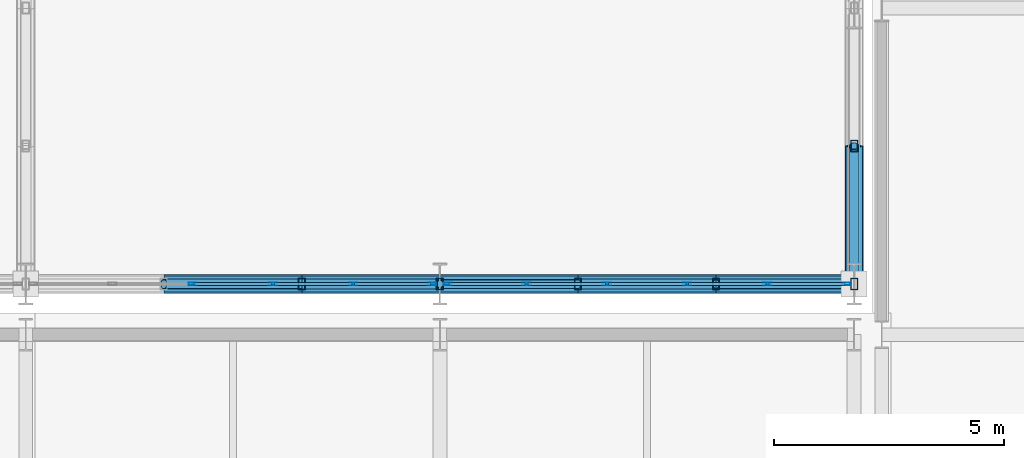
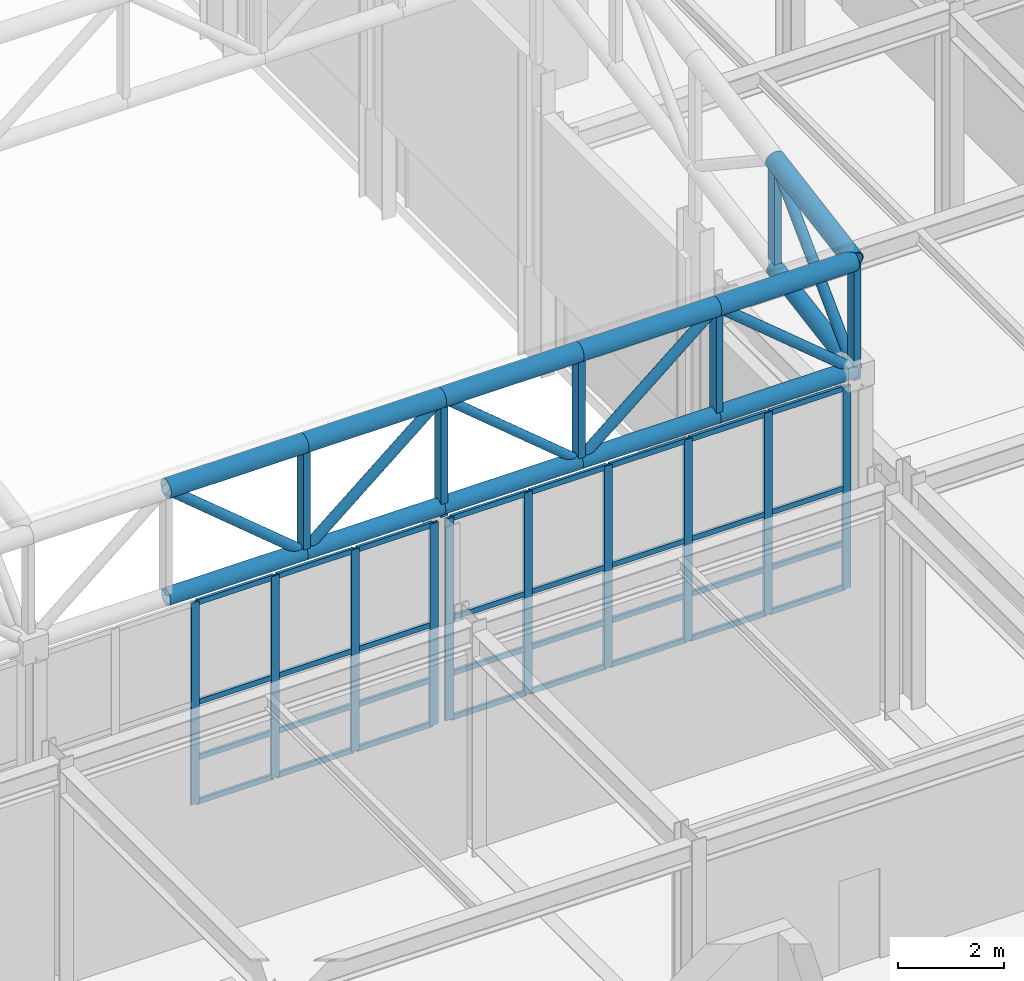
# One storey, part 71 of 239: 66 members, 2 elements without a shape of their own.
"""IFC4 building model written with IfcOpenShell, lengths in metres."""

from ifc_helpers import new_model, si_unit, direction, frame, origin, origin_2d, place, context, subcontext, project, spatial, hollow_rectangle, hollow_circle, extrude, material, material_profile, profile_set, type_object, element, aggregate, save


model = new_model("IFC4")

# Units and contexts
model_context = context("Model", 3, precision=1e-05, world=origin(), true_north=direction((0.0, 1.0)))
body_context = subcontext(model_context, "Body", "Model", "MODEL_VIEW")
ifc_project = project(units=[si_unit("LENGTHUNIT", "METRE"), si_unit("AREAUNIT", "SQUARE_METRE"), si_unit("VOLUMEUNIT", "CUBIC_METRE"), si_unit("PLANEANGLEUNIT", "RADIAN"), si_unit("MASSUNIT", "GRAM", prefix="KILO")], contexts=[model_context])

# Site, building, storey
site_placement = place(None, origin())
site = spatial("IfcSite", under=ifc_project, at=site_placement, CompositionType="ELEMENT")
building_placement = place(site_placement, origin())
building = spatial("IfcBuilding", under=site, at=building_placement, Name="Kaldris Quays Convention Centre", CompositionType="ELEMENT")
storey_placement = place(building_placement, frame((0.0, 0.0, 11.39990234375)))
storey = spatial("IfcBuildingStorey", under=building, at=storey_placement, Name="L02", CompositionType="ELEMENT", Elevation=11.39990234375)

# Curtain wall, members
ifc_material_1 = material(Name="Anodized aluminium AW-6060 and triple glazing", Category="aluminium")
curtain_wall_type = type_object("IfcCurtainWallType", Name="UNITISED CURTAIN WALL CW03", PredefinedType="NOTDEFINED", material=ifc_material_1)
curtain_wall_1_placement = place(storey_placement, origin())
curtain_wall_1 = element("IfcCurtainWall", 1, at=curtain_wall_1_placement, inside=storey, type_object=curtain_wall_type, Name="L02 Unitised Curtain Wall CW03 251", PredefinedType="NOTDEFINED")
ifc_material_2 = material(Name="Anodized aluminium AW-6060", Category="aluminium")
ifc_material_profile_1 = material_profile(ifc_material_2, hollow_rectangle(XDim=0.06005859375, YDim=0.179931640625, WallThickness=0.0048828125, at=origin_2d()), Name="RHS 180x60x5")
ifc_profile_set_1 = profile_set([ifc_material_profile_1], Name="Anodized aluminium AW-6060")
member_type_1 = type_object("IfcMemberType", Name="CURTAIN MULLION CWM2", PredefinedType="MULLION", material=ifc_profile_set_1)
member_1_placement = place(storey_placement, frame((131.6279296875, 56.0, 2.195068359375), z_axis=(0.0, 0.0, 1.0), x_axis=(0.0, 1.0, 0.0)))
member_1 = element("IfcMember", 2, at=member_1_placement, type_object=member_type_1, Name="CW03 mullion 3", PredefinedType="MULLION", context=body_context, shape_type="SweptSolid", body=[
    extrude(hollow_rectangle(XDim=0.06005859375, YDim=0.179931640625, WallThickness=0.0048828125, at=origin_2d()), origin(), (0.0, 0.0, 1.0), 4.655029296875),
])
member_2_placement = place(storey_placement, frame((133.3720703125, 56.0, 2.195068359375), z_axis=(0.0, 0.0, 1.0), x_axis=(0.0, 1.0, 0.0)))
member_2 = element("IfcMember", 3, at=member_2_placement, type_object=member_type_1, Name="CW03 mullion 4", PredefinedType="MULLION", context=body_context, shape_type="SweptSolid", body=[
    extrude(hollow_rectangle(XDim=0.06005859375, YDim=0.179931640625, WallThickness=0.0048828125, at=origin_2d()), origin(), (0.0, 0.0, 1.0), 4.655029296875),
])
member_3_placement = place(storey_placement, frame((135.115966796875, 56.0, 2.195068359375), z_axis=(0.0, 0.0, 1.0), x_axis=(0.0, 1.0, 0.0)))
member_3 = element("IfcMember", 4, at=member_3_placement, type_object=member_type_1, Name="CW03 mullion 5", PredefinedType="MULLION", context=body_context, shape_type="SweptSolid", body=[
    extrude(hollow_rectangle(XDim=0.06005859375, YDim=0.179931640625, WallThickness=0.0048828125, at=origin_2d()), origin(), (0.0, 0.0, 1.0), 4.655029296875),
])
member_4_placement = place(storey_placement, frame((136.830078125, 56.0, 2.195068359375), z_axis=(0.0, 0.0, 1.0), x_axis=(0.0, 1.0, 0.0)))
member_4 = element("IfcMember", 5, at=member_4_placement, type_object=member_type_1, Name="CW03 mullion 6", PredefinedType="MULLION", context=body_context, shape_type="SweptSolid", body=[
    extrude(hollow_rectangle(XDim=0.06005859375, YDim=0.179931640625, WallThickness=0.0048828125, at=origin_2d()), origin(), (0.0, 0.0, 1.0), 4.655029296875),
])

curtain_wall_2_placement = place(storey_placement, origin())
curtain_wall_2 = element("IfcCurtainWall", 6, at=curtain_wall_2_placement, inside=storey, type_object=curtain_wall_type, Name="L02 Unitised Curtain Wall CW03 253", PredefinedType="NOTDEFINED")
member_5_placement = place(storey_placement, frame((137.169921875, 56.0, 2.195068359375), z_axis=(0.0, 0.0, 1.0), x_axis=(0.0, 1.0, 0.0)))
member_5 = element("IfcMember", 7, at=member_5_placement, type_object=member_type_1, Name="CW03 mullion 1", PredefinedType="MULLION", context=body_context, shape_type="SweptSolid", body=[
    extrude(hollow_rectangle(XDim=0.06005859375, YDim=0.179931640625, WallThickness=0.0048828125, at=origin_2d()), origin(), (0.0, 0.0, 1.0), 4.655029296875),
])
member_6_placement = place(storey_placement, frame((138.884033203125, 56.0, 2.195068359375), z_axis=(0.0, 0.0, 1.0), x_axis=(0.0, 1.0, 0.0)))
member_6 = element("IfcMember", 8, at=member_6_placement, type_object=member_type_1, Name="CW03 mullion 2", PredefinedType="MULLION", context=body_context, shape_type="SweptSolid", body=[
    extrude(hollow_rectangle(XDim=0.06005859375, YDim=0.179931640625, WallThickness=0.0048828125, at=origin_2d()), origin(), (0.0, 0.0, 1.0), 4.655029296875),
])
member_7_placement = place(storey_placement, frame((140.6279296875, 56.0, 2.195068359375), z_axis=(0.0, 0.0, 1.0), x_axis=(0.0, 1.0, 0.0)))
member_7 = element("IfcMember", 9, at=member_7_placement, type_object=member_type_1, Name="CW03 mullion 3", PredefinedType="MULLION", context=body_context, shape_type="SweptSolid", body=[
    extrude(hollow_rectangle(XDim=0.06005859375, YDim=0.179931640625, WallThickness=0.0048828125, at=origin_2d()), origin(), (0.0, 0.0, 1.0), 4.655029296875),
])
member_8_placement = place(storey_placement, frame((142.3720703125, 56.0, 2.195068359375), z_axis=(0.0, 0.0, 1.0), x_axis=(0.0, 1.0, 0.0)))
member_8 = element("IfcMember", 10, at=member_8_placement, type_object=member_type_1, Name="CW03 mullion 4", PredefinedType="MULLION", context=body_context, shape_type="SweptSolid", body=[
    extrude(hollow_rectangle(XDim=0.06005859375, YDim=0.179931640625, WallThickness=0.0048828125, at=origin_2d()), origin(), (0.0, 0.0, 1.0), 4.655029296875),
])
member_9_placement = place(storey_placement, frame((144.115966796875, 56.0, 2.195068359375), z_axis=(0.0, 0.0, 1.0), x_axis=(0.0, 1.0, 0.0)))
member_9 = element("IfcMember", 11, at=member_9_placement, type_object=member_type_1, Name="CW03 mullion 5", PredefinedType="MULLION", context=body_context, shape_type="SweptSolid", body=[
    extrude(hollow_rectangle(XDim=0.06005859375, YDim=0.179931640625, WallThickness=0.0048828125, at=origin_2d()), origin(), (0.0, 0.0, 1.0), 4.655029296875),
])
member_10_placement = place(storey_placement, frame((145.830078125, 56.0, 2.195068359375), z_axis=(0.0, 0.0, 1.0), x_axis=(0.0, 1.0, 0.0)))
member_10 = element("IfcMember", 12, at=member_10_placement, type_object=member_type_1, Name="CW03 mullion 6", PredefinedType="MULLION", context=body_context, shape_type="SweptSolid", body=[
    extrude(hollow_rectangle(XDim=0.06005859375, YDim=0.179931640625, WallThickness=0.0048828125, at=origin_2d()), origin(), (0.0, 0.0, 1.0), 4.655029296875),
])

# Member
ifc_material_profile_2 = material_profile(ifc_material_2, hollow_rectangle(XDim=0.06005859375, YDim=0.1201171875, WallThickness=0.00390625, at=origin_2d()), Name="RHS 120x60x4")
ifc_profile_set_2 = profile_set([ifc_material_profile_2], Name="Anodized aluminium AW-6060")
member_type_2 = type_object("IfcMemberType", Name="CURTAIN TRANSOM CWT1", PredefinedType="USERDEFINED", material=ifc_profile_set_2)
member_11_placement = place(storey_placement, frame((131.657958984375, 56.0, 2.22509765625), z_axis=(1.0, 0.0, 0.0), x_axis=(0.0, 1.0, 0.0)))
member_11 = element("IfcMember", 13, at=member_11_placement, type_object=member_type_2, Name="CW03 transom 3.1", ObjectType="TRANSOM", PredefinedType="USERDEFINED", context=body_context, shape_type="SweptSolid", body=[
    extrude(hollow_rectangle(XDim=0.06005859375, YDim=0.1201171875, WallThickness=0.00390625, at=origin_2d()), origin(), (0.0, 0.0, 1.0), 1.68408203125),
])

member_12_placement = place(storey_placement, frame((131.657958984375, 56.0, 3.2451171875), z_axis=(1.0, 0.0, 0.0), x_axis=(0.0, 1.0, 0.0)))
member_12 = element("IfcMember", 14, at=member_12_placement, type_object=member_type_2, Name="CW03 transom 3.2", ObjectType="TRANSOM", PredefinedType="USERDEFINED", context=body_context, shape_type="SweptSolid", body=[
    extrude(hollow_rectangle(XDim=0.06005859375, YDim=0.1201171875, WallThickness=0.00390625, at=origin_2d()), origin(), (0.0, 0.0, 1.0), 1.68408203125),
])

member_13_placement = place(storey_placement, frame((131.657958984375, 56.0, 4.522216796875), z_axis=(1.0, 0.0, 0.0), x_axis=(0.0, 1.0, 0.0)))
member_13 = element("IfcMember", 15, at=member_13_placement, type_object=member_type_2, Name="CW03 transom 3.3", ObjectType="TRANSOM", PredefinedType="USERDEFINED", context=body_context, shape_type="SweptSolid", body=[
    extrude(hollow_rectangle(XDim=0.06005859375, YDim=0.1201171875, WallThickness=0.00390625, at=origin_2d()), origin(), (0.0, 0.0, 1.0), 1.68408203125),
])

member_14_placement = place(storey_placement, frame((131.657958984375, 56.0, 6.820068359375), z_axis=(1.0, 0.0, 0.0), x_axis=(0.0, 1.0, 0.0)))
member_14 = element("IfcMember", 16, at=member_14_placement, type_object=member_type_2, Name="CW03 transom 3.4", ObjectType="TRANSOM", PredefinedType="USERDEFINED", context=body_context, shape_type="SweptSolid", body=[
    extrude(hollow_rectangle(XDim=0.06005859375, YDim=0.1201171875, WallThickness=0.00390625, at=origin_2d()), origin(), (0.0, 0.0, 1.0), 1.68408203125),
])

member_15_placement = place(storey_placement, frame((133.402099609375, 56.0, 2.22509765625), z_axis=(1.0, 0.0, 0.0), x_axis=(0.0, 1.0, 0.0)))
member_15 = element("IfcMember", 17, at=member_15_placement, type_object=member_type_2, Name="CW03 transom 4.1", ObjectType="TRANSOM", PredefinedType="USERDEFINED", context=body_context, shape_type="SweptSolid", body=[
    extrude(hollow_rectangle(XDim=0.06005859375, YDim=0.1201171875, WallThickness=0.00390625, at=origin_2d()), origin(), (0.0, 0.0, 1.0), 1.683837890625),
])

member_16_placement = place(storey_placement, frame((133.402099609375, 56.0, 3.2451171875), z_axis=(1.0, 0.0, 0.0), x_axis=(0.0, 1.0, 0.0)))
member_16 = element("IfcMember", 18, at=member_16_placement, type_object=member_type_2, Name="CW03 transom 4.2", ObjectType="TRANSOM", PredefinedType="USERDEFINED", context=body_context, shape_type="SweptSolid", body=[
    extrude(hollow_rectangle(XDim=0.06005859375, YDim=0.1201171875, WallThickness=0.00390625, at=origin_2d()), origin(), (0.0, 0.0, 1.0), 1.683837890625),
])

member_17_placement = place(storey_placement, frame((133.402099609375, 56.0, 4.522216796875), z_axis=(1.0, 0.0, 0.0), x_axis=(0.0, 1.0, 0.0)))
member_17 = element("IfcMember", 19, at=member_17_placement, type_object=member_type_2, Name="CW03 transom 4.3", ObjectType="TRANSOM", PredefinedType="USERDEFINED", context=body_context, shape_type="SweptSolid", body=[
    extrude(hollow_rectangle(XDim=0.06005859375, YDim=0.1201171875, WallThickness=0.00390625, at=origin_2d()), origin(), (0.0, 0.0, 1.0), 1.683837890625),
])

member_18_placement = place(storey_placement, frame((133.402099609375, 56.0, 6.820068359375), z_axis=(1.0, 0.0, 0.0), x_axis=(0.0, 1.0, 0.0)))
member_18 = element("IfcMember", 20, at=member_18_placement, type_object=member_type_2, Name="CW03 transom 4.4", ObjectType="TRANSOM", PredefinedType="USERDEFINED", context=body_context, shape_type="SweptSolid", body=[
    extrude(hollow_rectangle(XDim=0.06005859375, YDim=0.1201171875, WallThickness=0.00390625, at=origin_2d()), origin(), (0.0, 0.0, 1.0), 1.683837890625),
])

member_19_placement = place(storey_placement, frame((135.14599609375, 56.0, 2.22509765625), z_axis=(1.0, 0.0, 0.0), x_axis=(0.0, 1.0, 0.0)))
member_19 = element("IfcMember", 21, at=member_19_placement, type_object=member_type_2, Name="CW03 transom 5.1", ObjectType="TRANSOM", PredefinedType="USERDEFINED", context=body_context, shape_type="SweptSolid", body=[
    extrude(hollow_rectangle(XDim=0.06005859375, YDim=0.1201171875, WallThickness=0.00390625, at=origin_2d()), origin(), (0.0, 0.0, 1.0), 1.654052734375),
])

member_20_placement = place(storey_placement, frame((135.14599609375, 56.0, 3.2451171875), z_axis=(1.0, 0.0, 0.0), x_axis=(0.0, 1.0, 0.0)))
member_20 = element("IfcMember", 22, at=member_20_placement, type_object=member_type_2, Name="CW03 transom 5.2", ObjectType="TRANSOM", PredefinedType="USERDEFINED", context=body_context, shape_type="SweptSolid", body=[
    extrude(hollow_rectangle(XDim=0.06005859375, YDim=0.1201171875, WallThickness=0.00390625, at=origin_2d()), origin(), (0.0, 0.0, 1.0), 1.654052734375),
])

member_21_placement = place(storey_placement, frame((135.14599609375, 56.0, 4.522216796875), z_axis=(1.0, 0.0, 0.0), x_axis=(0.0, 1.0, 0.0)))
member_21 = element("IfcMember", 23, at=member_21_placement, type_object=member_type_2, Name="CW03 transom 5.3", ObjectType="TRANSOM", PredefinedType="USERDEFINED", context=body_context, shape_type="SweptSolid", body=[
    extrude(hollow_rectangle(XDim=0.06005859375, YDim=0.1201171875, WallThickness=0.00390625, at=origin_2d()), origin(), (0.0, 0.0, 1.0), 1.654052734375),
])

member_22_placement = place(storey_placement, frame((135.14599609375, 56.0, 6.820068359375), z_axis=(1.0, 0.0, 0.0), x_axis=(0.0, 1.0, 0.0)))
member_22 = element("IfcMember", 24, at=member_22_placement, type_object=member_type_2, Name="CW03 transom 5.4", ObjectType="TRANSOM", PredefinedType="USERDEFINED", context=body_context, shape_type="SweptSolid", body=[
    extrude(hollow_rectangle(XDim=0.06005859375, YDim=0.1201171875, WallThickness=0.00390625, at=origin_2d()), origin(), (0.0, 0.0, 1.0), 1.654052734375),
])

aggregate(curtain_wall_1, [member_1, member_2, member_3, member_4, member_11, member_12, member_13, member_14, member_15, member_16, member_17, member_18, member_19, member_20, member_21, member_22])

member_23_placement = place(storey_placement, frame((137.199951171875, 56.0, 2.22509765625), z_axis=(1.0, 0.0, 0.0), x_axis=(0.0, 1.0, 0.0)))
member_23 = element("IfcMember", 25, at=member_23_placement, type_object=member_type_2, Name="CW03 transom 1.1", ObjectType="TRANSOM", PredefinedType="USERDEFINED", context=body_context, shape_type="SweptSolid", body=[
    extrude(hollow_rectangle(XDim=0.06005859375, YDim=0.1201171875, WallThickness=0.00390625, at=origin_2d()), origin(), (0.0, 0.0, 1.0), 1.654052734375),
])

member_24_placement = place(storey_placement, frame((137.199951171875, 56.0, 3.2451171875), z_axis=(1.0, 0.0, 0.0), x_axis=(0.0, 1.0, 0.0)))
member_24 = element("IfcMember", 26, at=member_24_placement, type_object=member_type_2, Name="CW03 transom 1.2", ObjectType="TRANSOM", PredefinedType="USERDEFINED", context=body_context, shape_type="SweptSolid", body=[
    extrude(hollow_rectangle(XDim=0.06005859375, YDim=0.1201171875, WallThickness=0.00390625, at=origin_2d()), origin(), (0.0, 0.0, 1.0), 1.654052734375),
])

member_25_placement = place(storey_placement, frame((137.199951171875, 56.0, 4.522216796875), z_axis=(1.0, 0.0, 0.0), x_axis=(0.0, 1.0, 0.0)))
member_25 = element("IfcMember", 27, at=member_25_placement, type_object=member_type_2, Name="CW03 transom 1.3", ObjectType="TRANSOM", PredefinedType="USERDEFINED", context=body_context, shape_type="SweptSolid", body=[
    extrude(hollow_rectangle(XDim=0.06005859375, YDim=0.1201171875, WallThickness=0.00390625, at=origin_2d()), origin(), (0.0, 0.0, 1.0), 1.654052734375),
])

member_26_placement = place(storey_placement, frame((137.199951171875, 56.0, 6.820068359375), z_axis=(1.0, 0.0, 0.0), x_axis=(0.0, 1.0, 0.0)))
member_26 = element("IfcMember", 28, at=member_26_placement, type_object=member_type_2, Name="CW03 transom 1.4", ObjectType="TRANSOM", PredefinedType="USERDEFINED", context=body_context, shape_type="SweptSolid", body=[
    extrude(hollow_rectangle(XDim=0.06005859375, YDim=0.1201171875, WallThickness=0.00390625, at=origin_2d()), origin(), (0.0, 0.0, 1.0), 1.654052734375),
])

member_27_placement = place(storey_placement, frame((138.9140625, 56.0, 2.22509765625), z_axis=(1.0, 0.0, 0.0), x_axis=(0.0, 1.0, 0.0)))
member_27 = element("IfcMember", 29, at=member_27_placement, type_object=member_type_2, Name="CW03 transom 2.1", ObjectType="TRANSOM", PredefinedType="USERDEFINED", context=body_context, shape_type="SweptSolid", body=[
    extrude(hollow_rectangle(XDim=0.06005859375, YDim=0.1201171875, WallThickness=0.00390625, at=origin_2d()), origin(), (0.0, 0.0, 1.0), 1.683837890625),
])

member_28_placement = place(storey_placement, frame((138.9140625, 56.0, 3.2451171875), z_axis=(1.0, 0.0, 0.0), x_axis=(0.0, 1.0, 0.0)))
member_28 = element("IfcMember", 30, at=member_28_placement, type_object=member_type_2, Name="CW03 transom 2.2", ObjectType="TRANSOM", PredefinedType="USERDEFINED", context=body_context, shape_type="SweptSolid", body=[
    extrude(hollow_rectangle(XDim=0.06005859375, YDim=0.1201171875, WallThickness=0.00390625, at=origin_2d()), origin(), (0.0, 0.0, 1.0), 1.683837890625),
])

member_29_placement = place(storey_placement, frame((138.9140625, 56.0, 4.522216796875), z_axis=(1.0, 0.0, 0.0), x_axis=(0.0, 1.0, 0.0)))
member_29 = element("IfcMember", 31, at=member_29_placement, type_object=member_type_2, Name="CW03 transom 2.3", ObjectType="TRANSOM", PredefinedType="USERDEFINED", context=body_context, shape_type="SweptSolid", body=[
    extrude(hollow_rectangle(XDim=0.06005859375, YDim=0.1201171875, WallThickness=0.00390625, at=origin_2d()), origin(), (0.0, 0.0, 1.0), 1.683837890625),
])

member_30_placement = place(storey_placement, frame((138.9140625, 56.0, 6.820068359375), z_axis=(1.0, 0.0, 0.0), x_axis=(0.0, 1.0, 0.0)))
member_30 = element("IfcMember", 32, at=member_30_placement, type_object=member_type_2, Name="CW03 transom 2.4", ObjectType="TRANSOM", PredefinedType="USERDEFINED", context=body_context, shape_type="SweptSolid", body=[
    extrude(hollow_rectangle(XDim=0.06005859375, YDim=0.1201171875, WallThickness=0.00390625, at=origin_2d()), origin(), (0.0, 0.0, 1.0), 1.683837890625),
])

member_31_placement = place(storey_placement, frame((140.657958984375, 56.0, 2.22509765625), z_axis=(1.0, 0.0, 0.0), x_axis=(0.0, 1.0, 0.0)))
member_31 = element("IfcMember", 33, at=member_31_placement, type_object=member_type_2, Name="CW03 transom 3.1", ObjectType="TRANSOM", PredefinedType="USERDEFINED", context=body_context, shape_type="SweptSolid", body=[
    extrude(hollow_rectangle(XDim=0.06005859375, YDim=0.1201171875, WallThickness=0.00390625, at=origin_2d()), origin(), (0.0, 0.0, 1.0), 1.68408203125),
])

member_32_placement = place(storey_placement, frame((140.657958984375, 56.0, 3.2451171875), z_axis=(1.0, 0.0, 0.0), x_axis=(0.0, 1.0, 0.0)))
member_32 = element("IfcMember", 34, at=member_32_placement, type_object=member_type_2, Name="CW03 transom 3.2", ObjectType="TRANSOM", PredefinedType="USERDEFINED", context=body_context, shape_type="SweptSolid", body=[
    extrude(hollow_rectangle(XDim=0.06005859375, YDim=0.1201171875, WallThickness=0.00390625, at=origin_2d()), origin(), (0.0, 0.0, 1.0), 1.68408203125),
])

member_33_placement = place(storey_placement, frame((140.657958984375, 56.0, 4.522216796875), z_axis=(1.0, 0.0, 0.0), x_axis=(0.0, 1.0, 0.0)))
member_33 = element("IfcMember", 35, at=member_33_placement, type_object=member_type_2, Name="CW03 transom 3.3", ObjectType="TRANSOM", PredefinedType="USERDEFINED", context=body_context, shape_type="SweptSolid", body=[
    extrude(hollow_rectangle(XDim=0.06005859375, YDim=0.1201171875, WallThickness=0.00390625, at=origin_2d()), origin(), (0.0, 0.0, 1.0), 1.68408203125),
])

member_34_placement = place(storey_placement, frame((140.657958984375, 56.0, 6.820068359375), z_axis=(1.0, 0.0, 0.0), x_axis=(0.0, 1.0, 0.0)))
member_34 = element("IfcMember", 36, at=member_34_placement, type_object=member_type_2, Name="CW03 transom 3.4", ObjectType="TRANSOM", PredefinedType="USERDEFINED", context=body_context, shape_type="SweptSolid", body=[
    extrude(hollow_rectangle(XDim=0.06005859375, YDim=0.1201171875, WallThickness=0.00390625, at=origin_2d()), origin(), (0.0, 0.0, 1.0), 1.68408203125),
])

member_35_placement = place(storey_placement, frame((142.402099609375, 56.0, 2.22509765625), z_axis=(1.0, 0.0, 0.0), x_axis=(0.0, 1.0, 0.0)))
member_35 = element("IfcMember", 37, at=member_35_placement, type_object=member_type_2, Name="CW03 transom 4.1", ObjectType="TRANSOM", PredefinedType="USERDEFINED", context=body_context, shape_type="SweptSolid", body=[
    extrude(hollow_rectangle(XDim=0.06005859375, YDim=0.1201171875, WallThickness=0.00390625, at=origin_2d()), origin(), (0.0, 0.0, 1.0), 1.683837890625),
])

member_36_placement = place(storey_placement, frame((142.402099609375, 56.0, 3.2451171875), z_axis=(1.0, 0.0, 0.0), x_axis=(0.0, 1.0, 0.0)))
member_36 = element("IfcMember", 38, at=member_36_placement, type_object=member_type_2, Name="CW03 transom 4.2", ObjectType="TRANSOM", PredefinedType="USERDEFINED", context=body_context, shape_type="SweptSolid", body=[
    extrude(hollow_rectangle(XDim=0.06005859375, YDim=0.1201171875, WallThickness=0.00390625, at=origin_2d()), origin(), (0.0, 0.0, 1.0), 1.683837890625),
])

member_37_placement = place(storey_placement, frame((142.402099609375, 56.0, 4.522216796875), z_axis=(1.0, 0.0, 0.0), x_axis=(0.0, 1.0, 0.0)))
member_37 = element("IfcMember", 39, at=member_37_placement, type_object=member_type_2, Name="CW03 transom 4.3", ObjectType="TRANSOM", PredefinedType="USERDEFINED", context=body_context, shape_type="SweptSolid", body=[
    extrude(hollow_rectangle(XDim=0.06005859375, YDim=0.1201171875, WallThickness=0.00390625, at=origin_2d()), origin(), (0.0, 0.0, 1.0), 1.683837890625),
])

member_38_placement = place(storey_placement, frame((142.402099609375, 56.0, 6.820068359375), z_axis=(1.0, 0.0, 0.0), x_axis=(0.0, 1.0, 0.0)))
member_38 = element("IfcMember", 40, at=member_38_placement, type_object=member_type_2, Name="CW03 transom 4.4", ObjectType="TRANSOM", PredefinedType="USERDEFINED", context=body_context, shape_type="SweptSolid", body=[
    extrude(hollow_rectangle(XDim=0.06005859375, YDim=0.1201171875, WallThickness=0.00390625, at=origin_2d()), origin(), (0.0, 0.0, 1.0), 1.683837890625),
])

member_39_placement = place(storey_placement, frame((144.14599609375, 56.0, 2.22509765625), z_axis=(1.0, 0.0, 0.0), x_axis=(0.0, 1.0, 0.0)))
member_39 = element("IfcMember", 41, at=member_39_placement, type_object=member_type_2, Name="CW03 transom 5.1", ObjectType="TRANSOM", PredefinedType="USERDEFINED", context=body_context, shape_type="SweptSolid", body=[
    extrude(hollow_rectangle(XDim=0.06005859375, YDim=0.1201171875, WallThickness=0.00390625, at=origin_2d()), origin(), (0.0, 0.0, 1.0), 1.654052734375),
])

member_40_placement = place(storey_placement, frame((144.14599609375, 56.0, 3.2451171875), z_axis=(1.0, 0.0, 0.0), x_axis=(0.0, 1.0, 0.0)))
member_40 = element("IfcMember", 42, at=member_40_placement, type_object=member_type_2, Name="CW03 transom 5.2", ObjectType="TRANSOM", PredefinedType="USERDEFINED", context=body_context, shape_type="SweptSolid", body=[
    extrude(hollow_rectangle(XDim=0.06005859375, YDim=0.1201171875, WallThickness=0.00390625, at=origin_2d()), origin(), (0.0, 0.0, 1.0), 1.654052734375),
])

member_41_placement = place(storey_placement, frame((144.14599609375, 56.0, 4.522216796875), z_axis=(1.0, 0.0, 0.0), x_axis=(0.0, 1.0, 0.0)))
member_41 = element("IfcMember", 43, at=member_41_placement, type_object=member_type_2, Name="CW03 transom 5.3", ObjectType="TRANSOM", PredefinedType="USERDEFINED", context=body_context, shape_type="SweptSolid", body=[
    extrude(hollow_rectangle(XDim=0.06005859375, YDim=0.1201171875, WallThickness=0.00390625, at=origin_2d()), origin(), (0.0, 0.0, 1.0), 1.654052734375),
])

member_42_placement = place(storey_placement, frame((144.14599609375, 56.0, 6.820068359375), z_axis=(1.0, 0.0, 0.0), x_axis=(0.0, 1.0, 0.0)))
member_42 = element("IfcMember", 44, at=member_42_placement, type_object=member_type_2, Name="CW03 transom 5.4", ObjectType="TRANSOM", PredefinedType="USERDEFINED", context=body_context, shape_type="SweptSolid", body=[
    extrude(hollow_rectangle(XDim=0.06005859375, YDim=0.1201171875, WallThickness=0.00390625, at=origin_2d()), origin(), (0.0, 0.0, 1.0), 1.654052734375),
])

aggregate(curtain_wall_2, [member_5, member_6, member_7, member_8, member_9, member_10, member_23, member_24, member_25, member_26, member_27, member_28, member_29, member_30, member_31, member_32, member_33, member_34, member_35, member_36, member_37, member_38, member_39, member_40, member_41, member_42])

# Members
ifc_material_3 = material(Name="Steel S355J2H", Category="steel")
ifc_material_profile_3 = material_profile(ifc_material_3, hollow_circle(Radius=0.203125, WallThickness=0.01611328125, at=origin_2d()), Name="CHS 406.4x16")
ifc_profile_set_3 = profile_set([ifc_material_profile_3], Name="Steel S355J2H")
member_type_3 = type_object("IfcMemberType", Name="STRUCTURAL MEMBER SC01", PredefinedType="CHORD", material=ifc_profile_set_3)
for number, where, z_axis, x_axis, name in (
    (45, (131.0, 56.0, 9.671875), (1.0, 0.0, 0.0), (0.0, 1.0, 0.0), "SF-V1 Top Chord X 38"),
    (46, (134.0, 56.0, 9.671875), (1.0, 0.0, 0.0), (0.0, 1.0, 0.0), "SF-V1 Top Chord X 39"),
    (47, (137.0, 56.0, 9.671875), (1.0, 0.0, 0.0), (0.0, 1.0, 0.0), "SF-V1 Top Chord X 40"),
    (48, (140.0, 56.0, 9.671875), (1.0, 0.0, 0.0), (0.0, 1.0, 0.0), "SF-V1 Top Chord X 41"),
    (49, (143.0, 56.0, 9.671875), (1.0, 0.0, 0.0), (0.0, 1.0, 0.0), "SF-V1 Top Chord X 42"),
):
    element("IfcMember", number, at=place(storey_placement, frame(where, z_axis=z_axis, x_axis=x_axis)), inside=storey, type_object=member_type_3, Name=name, PredefinedType="CHORD", context=body_context, shape_type="SweptSolid", body=[
        extrude(hollow_circle(Radius=0.203125, WallThickness=0.01611328125, at=origin_2d()), origin(), (0.0, 0.0, 1.0), 3.0),
    ])
member_43_placement = place(storey_placement, frame((146.0, 56.0, 9.671875), z_axis=(0.0, 0.985615766076, 0.169001661712), x_axis=(-1.0, 0.0, 0.0)))
element("IfcMember", 50, at=member_43_placement, inside=storey, type_object=member_type_3, Name="SF-V1 Top Chord Y 533", PredefinedType="CHORD", context=body_context, shape_type="SweptSolid", body=[
    extrude(hollow_circle(Radius=0.203125, WallThickness=0.01611328125, at=origin_2d()), origin(), (0.0, 0.0, 1.0), 3.043701171875),
])
ifc_material_profile_4 = material_profile(ifc_material_3, hollow_circle(Radius=0.177734375, WallThickness=0.01611328125, at=origin_2d()), Name="CHS 355.6x16")
ifc_profile_set_4 = profile_set([ifc_material_profile_4], Name="Steel S355J2H")
member_type_4 = type_object("IfcMemberType", Name="STRUCTURAL MEMBER SC02", PredefinedType="CHORD", material=ifc_profile_set_4)
for number, where, z_axis, x_axis, name in (
    (51, (131.0, 56.0, 7.171875), (1.0, 0.0, 0.0), (0.0, 1.0, 0.0), "SF-V1 Bottom Chord X 38"),
    (52, (134.0, 56.0, 7.171875), (1.0, 0.0, 0.0), (0.0, 1.0, 0.0), "SF-V1 Bottom Chord X 39"),
    (53, (137.0, 56.0, 7.171875), (1.0, 0.0, 0.0), (0.0, 1.0, 0.0), "SF-V1 Bottom Chord X 40"),
    (54, (140.0, 56.0, 7.171875), (1.0, 0.0, 0.0), (0.0, 1.0, 0.0), "SF-V1 Bottom Chord X 41"),
    (55, (143.0, 56.0, 7.171875), (1.0, 0.0, 0.0), (0.0, 1.0, 0.0), "SF-V1 Bottom Chord X 42"),
):
    element("IfcMember", number, at=place(storey_placement, frame(where, z_axis=z_axis, x_axis=x_axis)), inside=storey, type_object=member_type_4, Name=name, PredefinedType="CHORD", context=body_context, shape_type="SweptSolid", body=[
        extrude(hollow_circle(Radius=0.177734375, WallThickness=0.01611328125, at=origin_2d()), origin(), (0.0, 0.0, 1.0), 3.0),
    ])
member_44_placement = place(storey_placement, frame((146.0, 56.0, 7.171875), z_axis=(0.0, 0.985615766076, 0.169001661712), x_axis=(-1.0, 0.0, 0.0)))
element("IfcMember", 56, at=member_44_placement, inside=storey, type_object=member_type_4, Name="SF-V1 Bottom Chord Y 533", PredefinedType="CHORD", context=body_context, shape_type="SweptSolid", body=[
    extrude(hollow_circle(Radius=0.177734375, WallThickness=0.01611328125, at=origin_2d()), origin(), (0.0, 0.0, 1.0), 3.043701171875),
])
ifc_material_profile_5 = material_profile(ifc_material_3, hollow_circle(Radius=0.109619140625, WallThickness=0.010009765625, at=origin_2d()), Name="CHS 219.1x10")
ifc_profile_set_5 = profile_set([ifc_material_profile_5], Name="Steel S355J2H")
member_type_5 = type_object("IfcMemberType", Name="STRUCTURAL MEMBER SWB1", PredefinedType="BRACE", material=ifc_profile_set_5)
for number, where, z_axis, x_axis, name in (
    (57, (134.0, 56.0, 7.171875), (-0.768221279597, 0.0, 0.640184399664), (0.0, -1.0, 0.0), "SF-V1 Web Diagonal X 38"),
    (58, (134.0, 56.0, 7.171875), (0.768221279597, 0.0, 0.640184399664), (0.0, 1.0, 0.0), "SF-V1 Web Diagonal X 39"),
    (59, (140.0, 56.0, 7.171875), (0.768221279597, 0.0, 0.640184399664), (0.0, 1.0, 0.0), "SF-V1 Web Diagonal X 41"),
    (60, (146.0, 56.0, 7.171875), (-0.768221279597, 0.0, 0.640184399664), (0.0, -1.0, 0.0), "SF-V1 Web Diagonal X 42"),
):
    element("IfcMember", number, at=place(storey_placement, frame(where, z_axis=z_axis, x_axis=x_axis)), inside=storey, type_object=member_type_5, Name=name, PredefinedType="BRACE", context=body_context, shape_type="SweptSolid", body=[
        extrude(hollow_circle(Radius=0.109619140625, WallThickness=0.010009765625, at=origin_2d()), origin(), (0.0, 0.0, 1.0), 3.905029296875),
    ])
member_45_placement = place(storey_placement, frame((146.0, 56.0, 7.171875), z_axis=(0.0, 0.705411261057, 0.708798245465), x_axis=(-1.0, 0.0, 0.0)))
element("IfcMember", 61, at=member_45_placement, inside=storey, type_object=member_type_5, Name="SF-V1 Web Diagonal Y 533", PredefinedType="BRACE", context=body_context, shape_type="SweptSolid", body=[
    extrude(hollow_circle(Radius=0.109619140625, WallThickness=0.010009765625, at=origin_2d()), origin(), (0.0, 0.0, 1.0), 4.2529296875),
])
ifc_material_profile_6 = material_profile(ifc_material_3, hollow_circle(Radius=0.096923828125, WallThickness=0.008056640625, at=origin_2d()), Name="CHS 193.7x8")
ifc_profile_set_6 = profile_set([ifc_material_profile_6], Name="Steel S355J2H")
member_type_6 = type_object("IfcMemberType", Name="STRUCTURAL MEMBER SWB3", PredefinedType="BRACE", material=ifc_profile_set_6)
member_46_placement = place(storey_placement, frame((140.0, 56.0, 7.171875), z_axis=(-0.768221279597, 0.0, 0.640184399664), x_axis=(0.0, -1.0, 0.0)))
element("IfcMember", 62, at=member_46_placement, inside=storey, type_object=member_type_6, Name="SF-V1 Web Diagonal X 40", PredefinedType="BRACE", context=body_context, shape_type="SweptSolid", body=[
    extrude(hollow_circle(Radius=0.096923828125, WallThickness=0.008056640625, at=origin_2d()), origin(), (0.0, 0.0, 1.0), 3.905029296875),
])
ifc_material_profile_7 = material_profile(ifc_material_3, hollow_rectangle(XDim=0.14990234375, YDim=0.25, WallThickness=0.010009765625, at=origin_2d()), Name="RHS 250x150x10")
ifc_profile_set_7 = profile_set([ifc_material_profile_7], Name="Steel S355J2H")
member_type_7 = type_object("IfcMemberType", Name="STRUCTURAL MEMBER TTV1", PredefinedType="POST", material=ifc_profile_set_7)
member_47_placement = place(storey_placement, frame((134.0, 56.0, 7.171875), z_axis=(0.0, 0.0, 1.0), x_axis=(1.0, 0.0, 0.0)))
element("IfcMember", 63, at=member_47_placement, inside=storey, type_object=member_type_7, Name="SF-V1 Space-Frame Post 452", PredefinedType="POST", context=body_context, shape_type="SweptSolid", body=[
    extrude(hollow_rectangle(XDim=0.14990234375, YDim=0.25, WallThickness=0.010009765625, at=origin_2d()), origin(), (0.0, 0.0, 1.0), 2.5),
])
member_48_placement = place(storey_placement, frame((137.0, 56.0, 6.994140625), z_axis=(0.0, 0.0, 1.0), x_axis=(1.0, 0.0, 0.0)))
element("IfcMember", 64, at=member_48_placement, inside=storey, type_object=member_type_7, Name="SF-V1 Space-Frame Post 460", PredefinedType="POST", context=body_context, shape_type="SweptSolid", body=[
    extrude(hollow_rectangle(XDim=0.14990234375, YDim=0.25, WallThickness=0.010009765625, at=origin_2d()), origin(), (0.0, 0.0, 1.0), 2.677734375),
])
for number, where, z_axis, x_axis, name in (
    (65, (140.0, 56.0, 7.171875), (0.0, 0.0, 1.0), (1.0, 0.0, 0.0), "SF-V1 Space-Frame Post 468"),
    (66, (143.0, 56.0, 7.171875), (0.0, 0.0, 1.0), (1.0, 0.0, 0.0), "SF-V1 Space-Frame Post 476"),
):
    element("IfcMember", number, at=place(storey_placement, frame(where, z_axis=z_axis, x_axis=x_axis)), inside=storey, type_object=member_type_7, Name=name, PredefinedType="POST", context=body_context, shape_type="SweptSolid", body=[
        extrude(hollow_rectangle(XDim=0.14990234375, YDim=0.25, WallThickness=0.010009765625, at=origin_2d()), origin(), (0.0, 0.0, 1.0), 2.5),
    ])
member_49_placement = place(storey_placement, frame((146.0, 56.0, 6.994140625), z_axis=(0.0, 0.0, 1.0), x_axis=(1.0, 0.0, 0.0)))
element("IfcMember", 67, at=member_49_placement, inside=storey, type_object=member_type_7, Name="SF-V1 Space-Frame Post 484", PredefinedType="POST", context=body_context, shape_type="SweptSolid", body=[
    extrude(hollow_rectangle(XDim=0.14990234375, YDim=0.25, WallThickness=0.010009765625, at=origin_2d()), origin(), (0.0, 0.0, 1.0), 2.677734375),
])
member_50_placement = place(storey_placement, frame((146.0, 59.0, 7.686279296875), z_axis=(0.0, 0.0, 1.0), x_axis=(1.0, 0.0, 0.0)))
element("IfcMember", 68, at=member_50_placement, inside=storey, type_object=member_type_7, Name="SF-V1 Space-Frame Post 485", PredefinedType="POST", context=body_context, shape_type="SweptSolid", body=[
    extrude(hollow_rectangle(XDim=0.14990234375, YDim=0.25, WallThickness=0.010009765625, at=origin_2d()), origin(), (0.0, 0.0, 1.0), 2.5),
])

save(model, "model.ifc")
